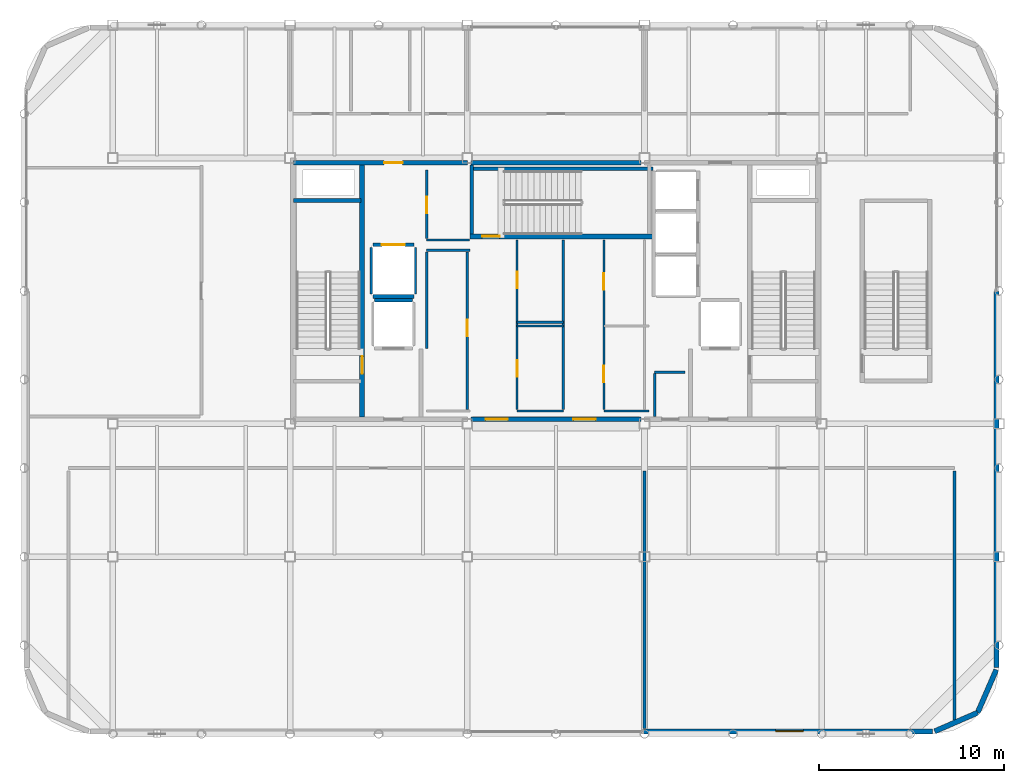
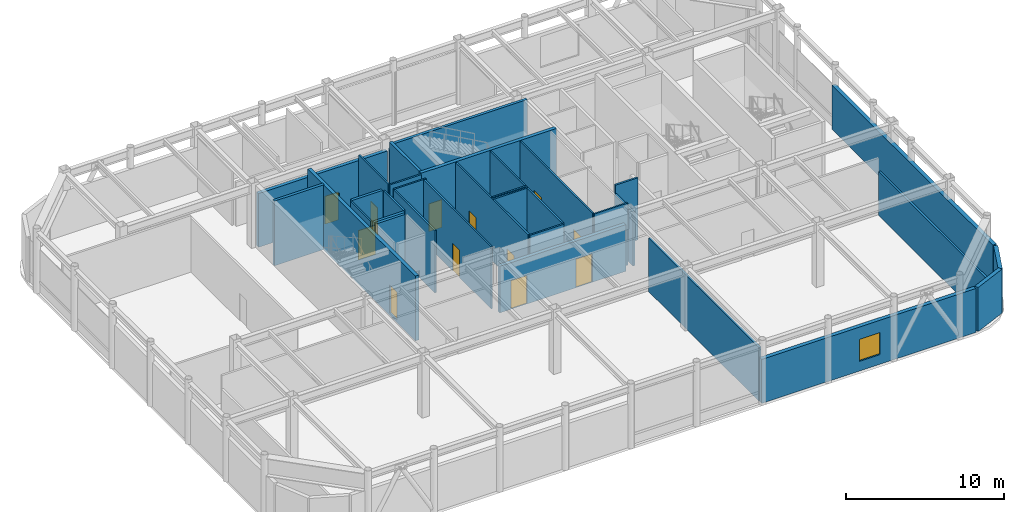
# One storey, part 17 of 21: 33 walls, 12 doors, 1 window, 13 openings.
"""IFC4 building model written with IfcOpenShell, lengths in metres."""

from ifc_helpers import new_model, si_unit, direction, frame, frame_2d, origin, place, context, subcontext, project, spatial, rectangle, extrude, material, layer, layer_set, type_object, element, fill, save


model = new_model("IFC4")

# Units and contexts
model_context = context("Model", 3, precision=1e-05, world=origin(), true_north=direction((0.0, 1.0)))
body_context = subcontext(model_context, "Body", "Model", "MODEL_VIEW")
ifc_project = project(units=[si_unit("LENGTHUNIT", "METRE"), si_unit("AREAUNIT", "SQUARE_METRE"), si_unit("VOLUMEUNIT", "CUBIC_METRE"), si_unit("PLANEANGLEUNIT", "RADIAN"), si_unit("MASSUNIT", "GRAM", prefix="KILO")], contexts=[model_context])

# Site, building, storey
site_placement = place(None, origin())
site = spatial("IfcSite", under=ifc_project, at=site_placement, CompositionType="ELEMENT")
building_placement = place(site_placement, origin())
building = spatial("IfcBuilding", under=site, at=building_placement, Name="Kallvorn Hotel Tower", CompositionType="ELEMENT")
storey_placement = place(building_placement, frame((0.0, 0.0, 295.60009765625)))
storey = spatial("IfcBuildingStorey", under=building, at=storey_placement, Name="L73", CompositionType="ELEMENT", Elevation=295.60009765625)

# Walls
ifc_material_1 = material(Name="Precast basalt-clad insulated concrete wall C40/50", Category="masonry")
ifc_layer_1 = layer(ifc_material_1, 0.280029296875)
ifc_layer_set_1 = layer_set([ifc_layer_1], Name="WL_EXT_LOGGIA_280")
wall_type_1 = type_object("IfcWallType", Name="WL_EXT_LOGGIA_280", PredefinedType="SOLIDWALL", material=ifc_layer_set_1)
for number, where, z_axis, x_axis, name in (
    (1, (20.520751953125, -23.85791015625, 0.0), (0.0, 0.0, 1.0), (0.917076177656, 0.398712031894, 0.0), "L73 Rounded Corner Exterior Wall SE1"),
    (2, (22.8466796875, -22.8466796875, 0.0), (0.0, 0.0, 1.0), (0.398712031894, 0.917076177656, 0.0), "L73 Rounded Corner Exterior Wall SE2"),
):
    element("IfcWall", number, at=place(storey_placement, frame(where, z_axis=z_axis, x_axis=x_axis)), inside=storey, type_object=wall_type_1, Name=name, PredefinedType="SOLIDWALL", context=body_context, shape_type="SweptSolid", body=[
        extrude(rectangle(XDim=2.5361328125, YDim=0.280029296875, at=frame_2d((1.26806640625, 0.0))), origin(), (0.0, 0.0, 1.0), 3.39990234375),
    ])

# Wall, opening, window
wall_1_placement = place(storey_placement, frame((4.75, -23.860107421875, 0.0), z_axis=(0.0, 0.0, 1.0), x_axis=(1.0, 0.0, 0.0)))
wall_1 = element("IfcWall", 3, at=wall_1_placement, inside=storey, type_object=wall_type_1, Name="L73 Exterior Envelope Wall EW-L73-SE", PredefinedType="SOLIDWALL", context=body_context, shape_type="SweptSolid", body=[
    extrude(rectangle(XDim=15.64990234375, YDim=0.280029296875, at=frame_2d((7.824951171875, 0.0))), origin(), (0.0, 0.0, 1.0), 3.39990234375),
])
opening_1_placement = place(wall_1_placement, frame((7.159912109375, 0.0, 0.75)))
opening_1 = element("IfcOpeningElement", 4, at=opening_1_placement, cuts=wall_1, Name="Opening W05", PredefinedType="OPENING", context=body_context, shape_type="SweptSolid", body=[
    extrude(rectangle(XDim=1.5, YDim=1.699951171875, at=frame_2d((0.75, 0.85009765625))), frame((0.0, 0.155029296875, 0.0), z_axis=(0.0, -1.0, 0.0), x_axis=(1.0, 0.0, 0.0)), (0.0, 0.0, 1.0), 0.31005859375),
])
ifc_material_2 = material(Name="Double-glazed low-e solar-control dark glass", Category="glass")
window_type = type_object("IfcWindowType", Name="WN_HTL_1500x1700", PartitioningType="SINGLE_PANEL", PredefinedType="WINDOW", material=ifc_material_2)
window_placement = place(opening_1_placement, origin())
window = element("IfcWindow", 5, at=window_placement, inside=storey, type_object=window_type, Name="L73 Guestroom Exterior Window 01", OverallHeight=1.699951171875, OverallWidth=1.5, PartitioningType="SINGLE_PANEL", PredefinedType="WINDOW", context=body_context, shape_type="SweptSolid", body=[
    extrude(rectangle(XDim=1.5, YDim=1.699951171875, at=frame_2d((0.75, 0.85009765625))), frame((0.0, 0.030029296875, 0.0), z_axis=(0.0, -1.0, 0.0), x_axis=(1.0, 0.0, 0.0)), (0.0, 0.0, 1.0), 0.06005859375),
])
fill(opening_1, window)

# Walls
wall_2_placement = place(storey_placement, frame((23.860107421875, -20.39990234375, 0.0), z_axis=(0.0, 0.0, 1.0), x_axis=(0.0, 1.0, 0.0)))
element("IfcWall", 6, at=wall_2_placement, inside=storey, type_object=wall_type_1, Name="L73 Exterior Envelope Wall EW-L73-ES", PredefinedType="SOLIDWALL", context=body_context, shape_type="SweptSolid", body=[
    extrude(rectangle(XDim=20.3798828125, YDim=0.280029296875, at=frame_2d((10.18994140625, 0.0))), origin(), (0.0, 0.0, 1.0), 3.39990234375),
])
ifc_material_3 = material(Name="Concrete C40/50", Category="concrete")
ifc_layer_2 = layer(ifc_material_3, 0.199951171875)
ifc_layer_set_2 = layer_set([ifc_layer_2], Name="WL_HOIST_200")
wall_type_2 = type_object("IfcWallType", Name="WL_HOIST_200", PredefinedType="SOLIDWALL", material=ifc_layer_set_2)
wall_3_placement = place(storey_placement, frame((-14.199951171875, 4.89990234375, -0.2001953125), z_axis=(0.0, 0.0, 1.0), x_axis=(1.0, 0.0, 0.0)))
element("IfcWall", 7, at=wall_3_placement, inside=storey, type_object=wall_type_2, Name="L73 Stair ST1 North Wall", PredefinedType="SOLIDWALL", context=body_context, shape_type="SweptSolid", body=[
    extrude(rectangle(XDim=3.64990234375, YDim=0.199951171875, at=frame_2d((1.824951171875, 0.0))), origin(), (0.0, 0.0, 1.0), 5.0),
])
wall_4_placement = place(storey_placement, frame((-4.64990234375, 6.610107421875, -0.2001953125), z_axis=(0.0, 0.0, 1.0), x_axis=(1.0, 0.0, 0.0)))
element("IfcWall", 8, at=wall_4_placement, inside=storey, type_object=wall_type_2, Name="L73 Stair ST3 Shaft North Wall", PredefinedType="SOLIDWALL", context=body_context, shape_type="SweptSolid", body=[
    extrude(rectangle(XDim=9.89990234375, YDim=0.199951171875, at=frame_2d((4.949951171875, 0.0))), origin(), (0.0, 0.0, 1.0), 5.0),
])
wall_5_placement = place(storey_placement, frame((-4.550048828125, 3.080078125, -0.2001953125), z_axis=(0.0, 0.0, 1.0), x_axis=(0.0, 1.0, 0.0)))
element("IfcWall", 9, at=wall_5_placement, inside=storey, type_object=wall_type_2, Name="L73 Stair ST3 West Wall", PredefinedType="SOLIDWALL", context=body_context, shape_type="SweptSolid", body=[
    extrude(rectangle(XDim=3.739990234375, YDim=0.199951171875, at=frame_2d((1.8701171875, 0.0))), origin(), (0.0, 0.0, 1.0), 5.0),
])
wall_6_placement = place(storey_placement, frame((-9.820068359375, -0.5, 0.0), z_axis=(0.0, 0.0, 1.0), x_axis=(1.0, 0.0, 0.0)))
element("IfcWall", 10, at=wall_6_placement, inside=storey, type_object=wall_type_2, Name="L73 FL-1 Rear Shaft Wall", PredefinedType="SOLIDWALL", context=body_context, shape_type="SweptSolid", body=[
    extrude(rectangle(XDim=2.0400390625, YDim=0.199951171875, at=frame_2d((1.02001953125, 0.0))), origin(), (0.0, 0.0, 1.0), 4.7998046875),
])

# Wall, opening, door
wall_7_placement = place(storey_placement, frame((-9.919921875, 2.5, 0.0), z_axis=(0.0, 0.0, 1.0), x_axis=(1.0, 0.0, 0.0)))
wall_7 = element("IfcWall", 11, at=wall_7_placement, inside=storey, type_object=wall_type_2, Name="L73 SV-01 Landing Wall", PredefinedType="SOLIDWALL", context=body_context, shape_type="SweptSolid", body=[
    extrude(rectangle(XDim=2.239990234375, YDim=0.199951171875, at=frame_2d((1.1201171875, 0.0))), origin(), (0.0, 0.0, 1.0), 4.7998046875),
])
opening_2_placement = place(wall_7_placement, frame((0.4951171875, 0.0, 0.0)))
opening_2 = element("IfcOpeningElement", 12, at=opening_2_placement, cuts=wall_7, Name="Opening LD-SV-01", PredefinedType="OPENING", context=body_context, shape_type="SweptSolid", body=[
    extrude(rectangle(XDim=1.25, YDim=2.25, at=frame_2d((0.625, 1.125))), frame((0.0, 0.114990234375, 0.0), z_axis=(0.0, -1.0, 0.0), x_axis=(1.0, 0.0, 0.0)), (0.0, 0.0, 1.0), 0.22998046875),
])
ifc_material_4 = material(Name="Brushed stainless-steel automatic sliding lift landing door", Category="steel")
door_type_1 = type_object("IfcDoorType", Name="LD_SERV_1250x2250", OperationType="SLIDING_TO_LEFT", PredefinedType="DOOR", material=ifc_material_4)
door_1_placement = place(opening_2_placement, origin())
door_1 = element("IfcDoor", 13, at=door_1_placement, inside=storey, type_object=door_type_1, Name="L73 Lift Landing Sliding Door LD-SV-01", OperationType="SLIDING_TO_LEFT", OverallHeight=2.25, OverallWidth=1.25, PredefinedType="DOOR", context=body_context, shape_type="SweptSolid", body=[
    extrude(rectangle(XDim=1.25, YDim=2.25, at=frame_2d((0.625, 1.125))), frame((0.0, 0.02490234375, 0.0), z_axis=(0.0, -1.0, 0.0), x_axis=(1.0, 0.0, 0.0)), (0.0, 0.0, 1.0), 0.050048828125),
])
fill(opening_2, door_1)

# Walls
wall_8_placement = place(storey_placement, frame((-9.919921875, -0.300048828125, 0.0), z_axis=(0.0, 0.0, 1.0), x_axis=(1.0, 0.0, 0.0)))
element("IfcWall", 14, at=wall_8_placement, inside=storey, type_object=wall_type_2, Name="L73 SV-01 Rear Shaft Wall", PredefinedType="SOLIDWALL", context=body_context, shape_type="SweptSolid", body=[
    extrude(rectangle(XDim=2.239990234375, YDim=0.199951171875, at=frame_2d((1.1201171875, 0.0))), origin(), (0.0, 0.0, 1.0), 4.7998046875),
])
ifc_material_5 = material(Name="Fire-rated double-layer acoustic gypsum drywall EI 60")
ifc_layer_3 = layer(ifc_material_5, 0.1201171875)
ifc_layer_set_3 = layer_set([ifc_layer_3], Name="WL_INT_120")
wall_type_3 = type_object("IfcWallType", Name="WL_INT_120", PredefinedType="PARTITIONING", material=ifc_layer_set_3)
for number, where, z_axis, x_axis, name in (
    (15, (-10.0, -0.159912109375, 0.0), (0.0, 0.0, 1.0), (0.0, 1.0, 0.0), "L73 SV-01 West Shaft Wall"),
    (16, (-7.60009765625, -0.159912109375, 0.0), (0.0, 0.0, 1.0), (0.0, 1.0, 0.0), "L73 SV-01 East Shaft Wall"),
):
    element("IfcWall", number, at=place(storey_placement, frame(where, z_axis=z_axis, x_axis=x_axis)), inside=storey, type_object=wall_type_3, Name=name, PredefinedType="PARTITIONING", context=body_context, shape_type="SweptSolid", body=[
        extrude(rectangle(XDim=2.52001953125, YDim=0.1201171875, at=frame_2d((1.260009765625, 0.0))), origin(), (0.0, 0.0, 1.0), 4.7998046875),
    ])
wall_9_placement = place(storey_placement, frame((-2.10009765625, -6.5, 0.0), z_axis=(0.0, 0.0, 1.0), x_axis=(1.0, 0.0, 0.0)))
element("IfcWall", 17, at=wall_9_placement, inside=storey, type_object=wall_type_3, Name="L73 High-Zone Sommelier and Beverage Pantry Partition", PredefinedType="PARTITIONING", context=body_context, shape_type="SweptSolid", body=[
    extrude(rectangle(XDim=2.5, YDim=0.1201171875, at=frame_2d((1.25, 0.0))), origin(), (0.0, 0.0, 1.0), 4.7998046875),
])
wall_10_placement = place(storey_placement, frame((2.60009765625, -6.5, 0.0), z_axis=(0.0, 0.0, 1.0), x_axis=(1.0, 0.0, 0.0)))
element("IfcWall", 18, at=wall_10_placement, inside=storey, type_object=wall_type_3, Name="L73 East Core Amenities and Minibar Store Partition", PredefinedType="PARTITIONING", context=body_context, shape_type="SweptSolid", body=[
    extrude(rectangle(XDim=2.449951171875, YDim=0.1201171875, at=frame_2d((1.22509765625, 0.0))), origin(), (0.0, 0.0, 1.0), 4.7998046875),
])
for number, where, z_axis, x_axis, name in (
    (19, (-2.10009765625, -1.89990234375, 0.0), (0.0, 0.0, 1.0), (1.0, 0.0, 0.0), "L73 High-Zone Sommelier and Beverage Pantry Partition"),
    (20, (-2.10009765625, -1.699951171875, 0.0), (0.0, 0.0, 1.0), (1.0, 0.0, 0.0), "L73 High-Zone Housekeeping Reserve Store Partition"),
):
    element("IfcWall", number, at=place(storey_placement, frame(where, z_axis=z_axis, x_axis=x_axis)), inside=storey, type_object=wall_type_3, Name=name, PredefinedType="PARTITIONING", context=body_context, shape_type="SweptSolid", body=[
        extrude(rectangle(XDim=2.5, YDim=0.1201171875, at=frame_2d((1.25, 0.0))), origin(), (0.0, 0.0, 1.0), 4.7998046875),
    ])
wall_11_placement = place(storey_placement, frame((-7.0, 2.199951171875, 0.0), z_axis=(0.0, 0.0, 1.0), x_axis=(1.0, 0.0, 0.0)))
element("IfcWall", 21, at=wall_11_placement, inside=storey, type_object=wall_type_3, Name="L73 Recaptured Butler and Room-Service Pantry Partition", PredefinedType="PARTITIONING", context=body_context, shape_type="SweptSolid", body=[
    extrude(rectangle(XDim=2.35009765625, YDim=0.1201171875, at=frame_2d((1.175048828125, 0.0))), origin(), (0.0, 0.0, 1.0), 4.7998046875),
])
wall_12_placement = place(storey_placement, frame((-7.0, 2.75, 0.0), z_axis=(0.0, 0.0, 1.0), x_axis=(1.0, 0.0, 0.0)))
element("IfcWall", 22, at=wall_12_placement, inside=storey, type_object=wall_type_3, Name="L73 Recaptured Valet and Linen Reserve Store Partition", PredefinedType="PARTITIONING", context=body_context, shape_type="SweptSolid", body=[
    extrude(rectangle(XDim=2.31005859375, YDim=0.1201171875, at=frame_2d((1.155029296875, 0.0))), origin(), (0.0, 0.0, 1.0), 4.7998046875),
])
wall_13_placement = place(storey_placement, frame((-7.0, -3.110107421875, 0.0), z_axis=(0.0, 0.0, 1.0), x_axis=(0.0, 1.0, 0.0)))
element("IfcWall", 23, at=wall_13_placement, inside=storey, type_object=wall_type_3, Name="L73 Recaptured Butler and Room-Service Pantry Partition", PredefinedType="PARTITIONING", context=body_context, shape_type="SweptSolid", body=[
    extrude(rectangle(XDim=5.22509765625, YDim=0.1201171875, at=frame_2d((2.612548828125, 0.0))), origin(), (0.0, 0.0, 1.0), 4.7998046875),
])

# Wall, opening, door
wall_14_placement = place(storey_placement, frame((-7.0, 2.8349609375, 0.0), z_axis=(0.0, 0.0, 1.0), x_axis=(0.0, 1.0, 0.0)))
wall_14 = element("IfcWall", 24, at=wall_14_placement, inside=storey, type_object=wall_type_3, Name="L73 Recaptured Valet and Linen Reserve Store Partition", PredefinedType="PARTITIONING", context=body_context, shape_type="SweptSolid", body=[
    extrude(rectangle(XDim=3.715087890625, YDim=0.1201171875, at=frame_2d((1.857421875, 0.0))), origin(), (0.0, 0.0, 1.0), 4.7998046875),
])
opening_3_placement = place(wall_14_placement, frame((1.364990234375, 0.0, 0.0)))
opening_3 = element("IfcOpeningElement", 25, at=opening_3_placement, cuts=wall_14, Name="Opening SVD1", PredefinedType="OPENING", context=body_context, shape_type="SweptSolid", body=[
    extrude(rectangle(XDim=0.89990234375, YDim=2.10009765625, at=frame_2d((0.449951171875, 1.050048828125))), frame((0.0, 0.074951171875, 0.0), z_axis=(0.0, -1.0, 0.0), x_axis=(1.0, 0.0, 0.0)), (0.0, 0.0, 1.0), 0.150146484375),
])
ifc_material_6 = material(Name="Galvanised painted steel fire-rated door assembly", Category="steel")
door_type_2 = type_object("IfcDoorType", Name="DR_SERV_900x2100", OperationType="NOTDEFINED", PredefinedType="DOOR", material=ifc_material_6)
door_2_placement = place(opening_3_placement, origin())
door_2 = element("IfcDoor", 26, at=door_2_placement, inside=storey, type_object=door_type_2, Name="L73 Recaptured Valet and Linen Reserve Store Door", OperationType="SINGLE_SWING_RIGHT", OverallHeight=2.10009765625, OverallWidth=0.89990234375, PredefinedType="DOOR", context=body_context, shape_type="SweptSolid", body=[
    extrude(rectangle(XDim=0.89990234375, YDim=2.10009765625, at=frame_2d((0.449951171875, 1.050048828125))), frame((0.0, 0.02490234375, 0.0), z_axis=(0.0, -1.0, 0.0), x_axis=(1.0, 0.0, 0.0)), (0.0, 0.0, 1.0), 0.050048828125),
])
fill(opening_3, door_2)

wall_15_placement = place(storey_placement, frame((-4.800048828125, -6.4150390625, 0.0), z_axis=(0.0, 0.0, 1.0), x_axis=(0.0, 1.0, 0.0)))
wall_15 = element("IfcWall", 27, at=wall_15_placement, inside=storey, type_object=wall_type_3, Name="L73 Recaptured Butler and Room-Service Pantry Partition", PredefinedType="PARTITIONING", context=body_context, shape_type="SweptSolid", body=[
    extrude(rectangle(XDim=8.530029296875, YDim=0.1201171875, at=frame_2d((4.26513671875, 0.0))), origin(), (0.0, 0.0, 1.0), 4.7998046875),
])
opening_4_placement = place(wall_15_placement, frame((3.965087890625, 0.0, 0.0)))
opening_4 = element("IfcOpeningElement", 28, at=opening_4_placement, cuts=wall_15, Name="Opening SVD1", PredefinedType="OPENING", context=body_context, shape_type="SweptSolid", body=[
    extrude(rectangle(XDim=0.89990234375, YDim=2.10009765625, at=frame_2d((0.449951171875, 1.050048828125))), frame((0.0, 0.074951171875, 0.0), z_axis=(0.0, -1.0, 0.0), x_axis=(1.0, 0.0, 0.0)), (0.0, 0.0, 1.0), 0.150146484375),
])
door_3_placement = place(opening_4_placement, origin())
door_3 = element("IfcDoor", 29, at=door_3_placement, inside=storey, type_object=door_type_2, Name="L73 Recaptured Butler and Room-Service Pantry Door", OperationType="SINGLE_SWING_RIGHT", OverallHeight=2.10009765625, OverallWidth=0.89990234375, PredefinedType="DOOR", context=body_context, shape_type="SweptSolid", body=[
    extrude(rectangle(XDim=0.89990234375, YDim=2.10009765625, at=frame_2d((0.449951171875, 1.050048828125))), frame((0.0, 0.02490234375, 0.0), z_axis=(0.0, -1.0, 0.0), x_axis=(1.0, 0.0, 0.0)), (0.0, 0.0, 1.0), 0.050048828125),
])
fill(opening_4, door_3)

# Wall, openings, doors
wall_16_placement = place(storey_placement, frame((-2.10009765625, -6.4150390625, 0.0), z_axis=(0.0, 0.0, 1.0), x_axis=(0.0, 1.0, 0.0)))
wall_16 = element("IfcWall", 30, at=wall_16_placement, inside=storey, type_object=wall_type_3, Name="L73 High-Zone Sommelier and Beverage Pantry Partition", PredefinedType="PARTITIONING", context=body_context, shape_type="SweptSolid", body=[
    extrude(rectangle(XDim=9.1650390625, YDim=0.1201171875, at=frame_2d((4.58251953125, 0.0))), origin(), (0.0, 0.0, 1.0), 4.7998046875),
])
opening_5_placement = place(wall_16_placement, frame((1.764892578125, 0.0, 0.0)))
opening_5 = element("IfcOpeningElement", 31, at=opening_5_placement, cuts=wall_16, Name="Opening SVD1", PredefinedType="OPENING", context=body_context, shape_type="SweptSolid", body=[
    extrude(rectangle(XDim=0.89990234375, YDim=2.10009765625, at=frame_2d((0.449951171875, 1.050048828125))), frame((0.0, 0.074951171875, 0.0), z_axis=(0.0, -1.0, 0.0), x_axis=(1.0, 0.0, 0.0)), (0.0, 0.0, 1.0), 0.150146484375),
])
opening_6_placement = place(wall_16_placement, frame((6.56494140625, 0.0, 0.0)))
opening_6 = element("IfcOpeningElement", 32, at=opening_6_placement, cuts=wall_16, Name="Opening SVD1", PredefinedType="OPENING", context=body_context, shape_type="SweptSolid", body=[
    extrude(rectangle(XDim=0.89990234375, YDim=2.10009765625, at=frame_2d((0.449951171875, 1.050048828125))), frame((0.0, 0.074951171875, 0.0), z_axis=(0.0, -1.0, 0.0), x_axis=(1.0, 0.0, 0.0)), (0.0, 0.0, 1.0), 0.150146484375),
])
door_4_placement = place(opening_5_placement, origin())
door_4 = element("IfcDoor", 33, at=door_4_placement, inside=storey, type_object=door_type_2, Name="L73 High-Zone Sommelier and Beverage Pantry Door", OperationType="SINGLE_SWING_RIGHT", OverallHeight=2.10009765625, OverallWidth=0.89990234375, PredefinedType="DOOR", context=body_context, shape_type="SweptSolid", body=[
    extrude(rectangle(XDim=0.89990234375, YDim=2.10009765625, at=frame_2d((0.449951171875, 1.050048828125))), frame((0.0, 0.02490234375, 0.0), z_axis=(0.0, -1.0, 0.0), x_axis=(1.0, 0.0, 0.0)), (0.0, 0.0, 1.0), 0.050048828125),
])
fill(opening_5, door_4)
door_5_placement = place(opening_6_placement, origin())
door_5 = element("IfcDoor", 34, at=door_5_placement, inside=storey, type_object=door_type_2, Name="L73 High-Zone Housekeeping Reserve Store Door", OperationType="SINGLE_SWING_RIGHT", OverallHeight=2.10009765625, OverallWidth=0.89990234375, PredefinedType="DOOR", context=body_context, shape_type="SweptSolid", body=[
    extrude(rectangle(XDim=0.89990234375, YDim=2.10009765625, at=frame_2d((0.449951171875, 1.050048828125))), frame((0.0, 0.02490234375, 0.0), z_axis=(0.0, -1.0, 0.0), x_axis=(1.0, 0.0, 0.0)), (0.0, 0.0, 1.0), 0.050048828125),
])
fill(opening_6, door_5)

# Wall
wall_17_placement = place(storey_placement, frame((0.39990234375, -6.4150390625, 0.0), z_axis=(0.0, 0.0, 1.0), x_axis=(0.0, 1.0, 0.0)))
element("IfcWall", 35, at=wall_17_placement, inside=storey, type_object=wall_type_3, Name="L73 High-Zone Sommelier and Beverage Pantry Partition", PredefinedType="PARTITIONING", context=body_context, shape_type="SweptSolid", body=[
    extrude(rectangle(XDim=9.1650390625, YDim=0.1201171875, at=frame_2d((4.58251953125, 0.0))), origin(), (0.0, 0.0, 1.0), 4.7998046875),
])

# Wall, openings, doors
wall_18_placement = place(storey_placement, frame((2.60009765625, -6.4150390625, 0.0), z_axis=(0.0, 0.0, 1.0), x_axis=(0.0, 1.0, 0.0)))
wall_18 = element("IfcWall", 36, at=wall_18_placement, inside=storey, type_object=wall_type_3, Name="L73 East Core Amenities and Minibar Store Partition", PredefinedType="PARTITIONING", context=body_context, shape_type="SweptSolid", body=[
    extrude(rectangle(XDim=9.1650390625, YDim=0.1201171875, at=frame_2d((4.58251953125, 0.0))), origin(), (0.0, 0.0, 1.0), 4.7998046875),
])
opening_7_placement = place(wall_18_placement, frame((1.465087890625, 0.0, 0.0)))
opening_7 = element("IfcOpeningElement", 37, at=opening_7_placement, cuts=wall_18, Name="Opening SVD1", PredefinedType="OPENING", context=body_context, shape_type="SweptSolid", body=[
    extrude(rectangle(XDim=0.89990234375, YDim=2.10009765625, at=frame_2d((0.449951171875, 1.050048828125))), frame((0.0, 0.074951171875, 0.0), z_axis=(0.0, -1.0, 0.0), x_axis=(1.0, 0.0, 0.0)), (0.0, 0.0, 1.0), 0.150146484375),
])
opening_8_placement = place(wall_18_placement, frame((6.465087890625, 0.0, 0.0)))
opening_8 = element("IfcOpeningElement", 38, at=opening_8_placement, cuts=wall_18, Name="Opening SVD1", PredefinedType="OPENING", context=body_context, shape_type="SweptSolid", body=[
    extrude(rectangle(XDim=0.89990234375, YDim=2.10009765625, at=frame_2d((0.449951171875, 1.050048828125))), frame((0.0, 0.074951171875, 0.0), z_axis=(0.0, -1.0, 0.0), x_axis=(1.0, 0.0, 0.0)), (0.0, 0.0, 1.0), 0.150146484375),
])
door_6_placement = place(opening_7_placement, origin())
door_6 = element("IfcDoor", 39, at=door_6_placement, inside=storey, type_object=door_type_2, Name="L73 East Core Amenities and Minibar Store Door", OperationType="SINGLE_SWING_RIGHT", OverallHeight=2.10009765625, OverallWidth=0.89990234375, PredefinedType="DOOR", context=body_context, shape_type="SweptSolid", body=[
    extrude(rectangle(XDim=0.89990234375, YDim=2.10009765625, at=frame_2d((0.449951171875, 1.050048828125))), frame((0.0, 0.02490234375, 0.0), z_axis=(0.0, -1.0, 0.0), x_axis=(1.0, 0.0, 0.0)), (0.0, 0.0, 1.0), 0.050048828125),
])
fill(opening_7, door_6)
door_7_placement = place(opening_8_placement, origin())
door_7 = element("IfcDoor", 40, at=door_7_placement, inside=storey, type_object=door_type_2, Name="L73 East Core Cleaners and Janitor Room Door", OperationType="SINGLE_SWING_RIGHT", OverallHeight=2.10009765625, OverallWidth=0.89990234375, PredefinedType="DOOR", context=body_context, shape_type="SweptSolid", body=[
    extrude(rectangle(XDim=0.89990234375, YDim=2.10009765625, at=frame_2d((0.449951171875, 1.050048828125))), frame((0.0, 0.02490234375, 0.0), z_axis=(0.0, -1.0, 0.0), x_axis=(1.0, 0.0, 0.0)), (0.0, 0.0, 1.0), 0.050048828125),
])
fill(opening_8, door_7)

# Walls
ifc_material_7 = material(Name="Fire-rated double-layer acoustic gypsum drywall EI 60")
ifc_layer_4 = layer(ifc_material_7, 0.14990234375)
ifc_layer_set_4 = layer_set([ifc_layer_4], Name="WL_PART_150")
wall_type_4 = type_object("IfcWallType", Name="WL_PART_150", PredefinedType="PARTITIONING", material=ifc_layer_set_4)
wall_19_placement = place(storey_placement, frame((4.800048828125, -23.7099609375, 0.0), z_axis=(0.0, 0.0, 1.0), x_axis=(0.0, 1.0, 0.0)))
element("IfcWall", 41, at=wall_19_placement, inside=storey, type_object=wall_type_4, Name="L73 Sky Jazz and Acoustic Performance Hall Partition", PredefinedType="PARTITIONING", context=body_context, shape_type="SweptSolid", body=[
    extrude(rectangle(XDim=13.9599609375, YDim=0.14990234375, at=frame_2d((6.97998046875, 0.0))), origin(), (0.0, 0.0, 1.0), 4.14990234375),
])
wall_20_placement = place(storey_placement, frame((21.60009765625, -23.238525390625, 0.0), z_axis=(0.0, 0.0, 1.0), x_axis=(0.0, 1.0, 0.0)))
element("IfcWall", 42, at=wall_20_placement, inside=storey, type_object=wall_type_4, Name="L73 VIP Champagne Dining Salon Partition", PredefinedType="PARTITIONING", context=body_context, shape_type="SweptSolid", body=[
    extrude(rectangle(XDim=13.488525390625, YDim=0.14990234375, at=frame_2d((6.744140625, 0.0))), origin(), (0.0, 0.0, 1.0), 3.39990234375),
])
ifc_material_8 = material(Name="Moisture-resistant acoustic plumbing chase wall EI 60")
ifc_layer_5 = layer(ifc_material_8, 0.139892578125)
ifc_layer_set_5 = layer_set([ifc_layer_5], Name="WL_PLUMB_140")
wall_type_5 = type_object("IfcWallType", Name="WL_PLUMB_140", PredefinedType="PLUMBINGWALL", material=ifc_layer_set_5)
wall_21_placement = place(storey_placement, frame((5.35009765625, -4.39990234375, 0.0), z_axis=(0.0, 0.0, 1.0), x_axis=(1.0, 0.0, 0.0)))
element("IfcWall", 43, at=wall_21_placement, inside=storey, type_object=wall_type_5, Name="L73 Core Staff Restroom WC Partition", PredefinedType="PLUMBINGWALL", context=body_context, shape_type="SweptSolid", body=[
    extrude(rectangle(XDim=1.64990234375, YDim=0.139892578125, at=frame_2d((0.824951171875, 0.0))), origin(), (0.0, 0.0, 1.0), 4.7998046875),
])
wall_22_placement = place(storey_placement, frame((5.35009765625, -6.800048828125, 0.0), z_axis=(0.0, 0.0, 1.0), x_axis=(0.0, 1.0, 0.0)))
element("IfcWall", 44, at=wall_22_placement, inside=storey, type_object=wall_type_5, Name="L73 Core Staff Restroom WC Partition", PredefinedType="PLUMBINGWALL", context=body_context, shape_type="SweptSolid", body=[
    extrude(rectangle(XDim=2.31494140625, YDim=0.139892578125, at=frame_2d((1.157470703125, 0.0))), origin(), (0.0, 0.0, 1.0), 4.14990234375),
])

# Wall, openings, doors
ifc_material_9 = material(Name="Concrete C40/50", Category="concrete")
ifc_layer_6 = layer(ifc_material_9, 0.25)
ifc_layer_set_6 = layer_set([ifc_layer_6], Name="WL_SHAFT_250")
wall_type_6 = type_object("IfcWallType", Name="WL_SHAFT_250", PredefinedType="SOLIDWALL", material=ifc_layer_set_6)
wall_23_placement = place(storey_placement, frame((-4.60009765625, -6.949951171875, 0.0), z_axis=(0.0, 0.0, 1.0), x_axis=(1.0, 0.0, 0.0)))
wall_23 = element("IfcWall", 45, at=wall_23_placement, inside=storey, type_object=wall_type_6, Name="L73 Core South-Central Wall", PredefinedType="SOLIDWALL", context=body_context, shape_type="SweptSolid", body=[
    extrude(rectangle(XDim=9.2001953125, YDim=0.25, at=frame_2d((4.60009765625, 0.0))), origin(), (0.0, 0.0, 1.0), 3.599853515625),
])
opening_9_placement = place(wall_23_placement, frame((0.800048828125, 0.0, 0.0)))
opening_9 = element("IfcOpeningElement", 46, at=opening_9_placement, cuts=wall_23, Name="Opening FD2", PredefinedType="OPENING", context=body_context, shape_type="SweptSolid", body=[
    extrude(rectangle(XDim=1.199951171875, YDim=2.199951171875, at=frame_2d((0.60009765625, 1.10009765625))), frame((0.0, 0.139892578125, 0.0), z_axis=(0.0, -1.0, 0.0), x_axis=(1.0, 0.0, 0.0)), (0.0, 0.0, 1.0), 0.280029296875),
])
opening_10_placement = place(wall_23_placement, frame((5.550048828125, 0.0, 0.0)))
opening_10 = element("IfcOpeningElement", 47, at=opening_10_placement, cuts=wall_23, Name="Opening FD2", PredefinedType="OPENING", context=body_context, shape_type="SweptSolid", body=[
    extrude(rectangle(XDim=1.199951171875, YDim=2.199951171875, at=frame_2d((0.60009765625, 1.10009765625))), frame((0.0, 0.139892578125, 0.0), z_axis=(0.0, -1.0, 0.0), x_axis=(1.0, 0.0, 0.0)), (0.0, 0.0, 1.0), 0.280029296875),
])
ifc_material_10 = material(Name="Galvanised painted steel fire-rated door assembly", Category="steel")
door_type_3 = type_object("IfcDoorType", Name="DR_LOBBY_1200x2200", OperationType="DOUBLE_DOOR_SINGLE_SWING", PredefinedType="DOOR", material=ifc_material_10)
door_8_placement = place(opening_9_placement, origin())
door_8 = element("IfcDoor", 48, at=door_8_placement, inside=storey, type_object=door_type_3, Name="L73 West Passenger Lift Lobby Door", OperationType="DOUBLE_DOOR_SINGLE_SWING", OverallHeight=2.199951171875, OverallWidth=1.199951171875, PredefinedType="DOOR", context=body_context, shape_type="SweptSolid", body=[
    extrude(rectangle(XDim=1.199951171875, YDim=2.199951171875, at=frame_2d((0.60009765625, 1.10009765625))), frame((0.0, 0.02490234375, 0.0), z_axis=(0.0, -1.0, 0.0), x_axis=(1.0, 0.0, 0.0)), (0.0, 0.0, 1.0), 0.050048828125),
])
fill(opening_9, door_8)
door_9_placement = place(opening_10_placement, origin())
door_9 = element("IfcDoor", 49, at=door_9_placement, inside=storey, type_object=door_type_3, Name="L73 East Passenger Lift Lobby Door", OperationType="DOUBLE_DOOR_SINGLE_SWING", OverallHeight=2.199951171875, OverallWidth=1.199951171875, PredefinedType="DOOR", context=body_context, shape_type="SweptSolid", body=[
    extrude(rectangle(XDim=1.199951171875, YDim=2.199951171875, at=frame_2d((0.60009765625, 1.10009765625))), frame((0.0, 0.02490234375, 0.0), z_axis=(0.0, -1.0, 0.0), x_axis=(1.0, 0.0, 0.0)), (0.0, 0.0, 1.0), 0.050048828125),
])
fill(opening_10, door_9)

# Wall, opening, door
wall_24_placement = place(storey_placement, frame((-14.199951171875, 6.949951171875, 0.0), z_axis=(0.0, 0.0, 1.0), x_axis=(1.0, 0.0, 0.0)))
wall_24 = element("IfcWall", 50, at=wall_24_placement, inside=storey, type_object=wall_type_6, Name="L73 Core North-West Wall", PredefinedType="SOLIDWALL", context=body_context, shape_type="SweptSolid", body=[
    extrude(rectangle(XDim=9.39990234375, YDim=0.25, at=frame_2d((4.699951171875, 0.0))), origin(), (0.0, 0.0, 1.0), 4.14990234375),
])
opening_11_placement = place(wall_24_placement, frame((4.89990234375, 0.0, 0.0)))
opening_11 = element("IfcOpeningElement", 51, at=opening_11_placement, cuts=wall_24, Name="Opening FD1", PredefinedType="OPENING", context=body_context, shape_type="SweptSolid", body=[
    extrude(rectangle(XDim=1.0, YDim=2.14990234375, at=frame_2d((0.5, 1.074951171875))), frame((0.0, 0.139892578125, 0.0), z_axis=(0.0, -1.0, 0.0), x_axis=(1.0, 0.0, 0.0)), (0.0, 0.0, 1.0), 0.280029296875),
])
ifc_material_11 = material(Name="Galvanised painted steel fire-rated door assembly", Category="steel")
door_type_4 = type_object("IfcDoorType", Name="DR_FFL_1000x2150", OperationType="NOTDEFINED", PredefinedType="DOOR", material=ifc_material_11)
door_10_placement = place(opening_11_placement, origin())
door_10 = element("IfcDoor", 52, at=door_10_placement, inside=storey, type_object=door_type_4, Name="L73 Service Lift Lobby Door", OperationType="SINGLE_SWING_RIGHT", OverallHeight=2.14990234375, OverallWidth=1.0, PredefinedType="DOOR", context=body_context, shape_type="SweptSolid", body=[
    extrude(rectangle(XDim=1.0, YDim=2.14990234375, at=frame_2d((0.5, 1.074951171875))), frame((0.0, 0.02490234375, 0.0), z_axis=(0.0, -1.0, 0.0), x_axis=(1.0, 0.0, 0.0)), (0.0, 0.0, 1.0), 0.050048828125),
])
fill(opening_11, door_10)

# Wall
wall_25_placement = place(storey_placement, frame((-4.60009765625, 6.949951171875, 0.0), z_axis=(0.0, 0.0, 1.0), x_axis=(1.0, 0.0, 0.0)))
element("IfcWall", 53, at=wall_25_placement, inside=storey, type_object=wall_type_6, Name="L73 Core North-Central Wall", PredefinedType="SOLIDWALL", context=body_context, shape_type="SweptSolid", body=[
    extrude(rectangle(XDim=9.2001953125, YDim=0.25, at=frame_2d((4.60009765625, 0.0))), origin(), (0.0, 0.0, 1.0), 4.14990234375),
])

# Wall, opening, door
wall_26_placement = place(storey_placement, frame((-10.5, -6.820068359375, -0.2001953125), z_axis=(0.0, 0.0, 1.0), x_axis=(0.0, 1.0, 0.0)))
wall_26 = element("IfcWall", 54, at=wall_26_placement, inside=storey, type_object=wall_type_6, Name="L73 Stair ST1 Shaft Wall", PredefinedType="SOLIDWALL", context=body_context, shape_type="SweptSolid", body=[
    extrude(rectangle(XDim=13.64013671875, YDim=0.25, at=frame_2d((6.820068359375, 0.0))), origin(), (0.0, 0.0, 1.0), 5.0),
])
opening_12_placement = place(wall_26_placement, frame((2.320068359375, 0.0, 0.199951171875)))
opening_12 = element("IfcOpeningElement", 55, at=opening_12_placement, cuts=wall_26, Name="Opening SD1", PredefinedType="OPENING", context=body_context, shape_type="SweptSolid", body=[
    extrude(rectangle(XDim=0.949951171875, YDim=2.14990234375, at=frame_2d((0.47509765625, 1.074951171875))), frame((0.0, 0.139892578125, 0.0), z_axis=(0.0, -1.0, 0.0), x_axis=(1.0, 0.0, 0.0)), (0.0, 0.0, 1.0), 0.280029296875),
])
ifc_material_12 = material(Name="Galvanised painted steel fire-rated door assembly", Category="steel")
door_type_5 = type_object("IfcDoorType", Name="DR_STAIR_950x2150", OperationType="NOTDEFINED", PredefinedType="DOOR", material=ifc_material_12)
door_11_placement = place(opening_12_placement, origin())
door_11 = element("IfcDoor", 56, at=door_11_placement, inside=storey, type_object=door_type_5, Name="L73 Exit Stair ST1 Fire Door", OperationType="SINGLE_SWING_LEFT", OverallHeight=2.14990234375, OverallWidth=0.949951171875, PredefinedType="DOOR", context=body_context, shape_type="SweptSolid", body=[
    extrude(rectangle(XDim=0.949951171875, YDim=2.14990234375, at=frame_2d((0.47509765625, 1.074951171875))), frame((0.0, 0.02490234375, 0.0), z_axis=(0.0, -1.0, 0.0), x_axis=(1.0, 0.0, 0.0)), (0.0, 0.0, 1.0), 0.050048828125),
])
fill(opening_12, door_11)

wall_27_placement = place(storey_placement, frame((-4.64990234375, 2.949951171875, -0.2001953125), z_axis=(0.0, 0.0, 1.0), x_axis=(1.0, 0.0, 0.0)))
wall_27 = element("IfcWall", 57, at=wall_27_placement, inside=storey, type_object=wall_type_6, Name="L73 Stair ST3 Shaft South Wall", PredefinedType="SOLIDWALL", context=body_context, shape_type="SweptSolid", body=[
    extrude(rectangle(XDim=9.89990234375, YDim=0.25, at=frame_2d((4.949951171875, 0.0))), origin(), (0.0, 0.0, 1.0), 5.0),
])
opening_13_placement = place(wall_27_placement, frame((0.64990234375, 0.0, 0.199951171875)))
opening_13 = element("IfcOpeningElement", 58, at=opening_13_placement, cuts=wall_27, Name="Opening SD1", PredefinedType="OPENING", context=body_context, shape_type="SweptSolid", body=[
    extrude(rectangle(XDim=0.949951171875, YDim=2.14990234375, at=frame_2d((0.47509765625, 1.074951171875))), frame((0.0, 0.139892578125, 0.0), z_axis=(0.0, -1.0, 0.0), x_axis=(1.0, 0.0, 0.0)), (0.0, 0.0, 1.0), 0.280029296875),
])
door_12_placement = place(opening_13_placement, origin())
door_12 = element("IfcDoor", 59, at=door_12_placement, inside=storey, type_object=door_type_5, Name="L73 Exit Stair ST3 Fire Door", OperationType="SINGLE_SWING_LEFT", OverallHeight=2.14990234375, OverallWidth=0.949951171875, PredefinedType="DOOR", context=body_context, shape_type="SweptSolid", body=[
    extrude(rectangle(XDim=0.949951171875, YDim=2.14990234375, at=frame_2d((0.47509765625, 1.074951171875))), frame((0.0, 0.02490234375, 0.0), z_axis=(0.0, -1.0, 0.0), x_axis=(1.0, 0.0, 0.0)), (0.0, 0.0, 1.0), 0.050048828125),
])
fill(opening_13, door_12)

save(model, "model.ifc")
